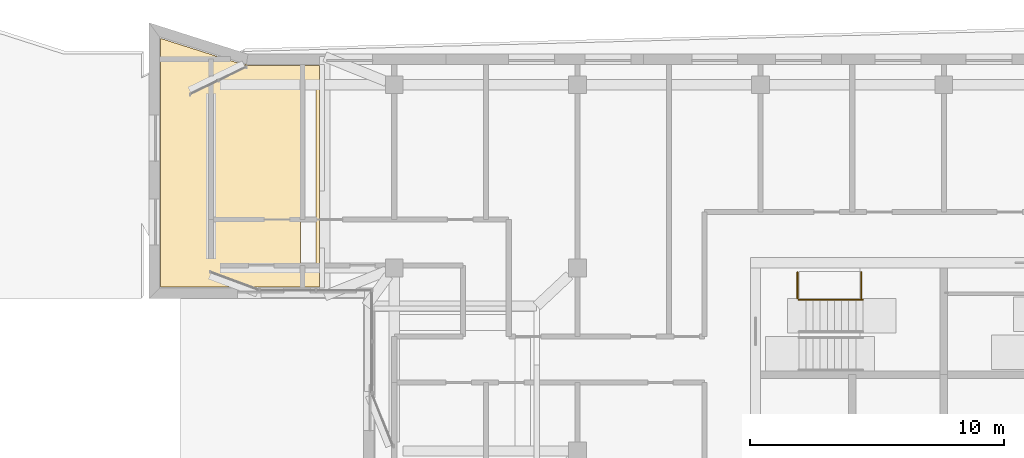
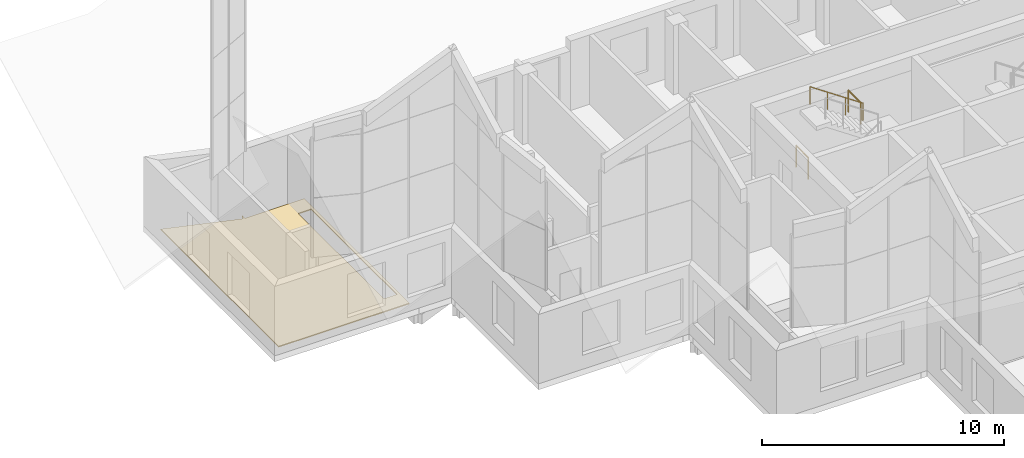
# One storey, part 19 of 20: 3 railings, 1 covering.
"""IFC4 building model written with IfcOpenShell, lengths in metres."""

from ifc_helpers import new_model, si_unit, direction, frame, origin, origin_2d, place, context, subcontext, project, spatial, polyline, circle, outline, extrude, material, layer, layer_set, type_object, element, save


model = new_model("IFC4")

# Units and contexts
model_context = context("Model", 3, precision=1e-05, world=origin(), true_north=direction((0.0, 1.0)))
body_context = subcontext(model_context, "Body", "Model", "MODEL_VIEW")
ifc_project = project(units=[si_unit("LENGTHUNIT", "METRE"), si_unit("AREAUNIT", "SQUARE_METRE"), si_unit("VOLUMEUNIT", "CUBIC_METRE"), si_unit("PLANEANGLEUNIT", "RADIAN"), si_unit("MASSUNIT", "GRAM", prefix="KILO")], contexts=[model_context])

# Site, building, storey
site_placement = place(None, origin())
site = spatial("IfcSite", under=ifc_project, at=site_placement, CompositionType="ELEMENT")
building_placement = place(site_placement, origin())
building = spatial("IfcBuilding", under=site, at=building_placement, Name="Windrow Commons", CompositionType="ELEMENT")
storey_placement = place(building_placement, frame((0.0, 0.0, 290.6)))
storey = spatial("IfcBuildingStorey", under=building, at=storey_placement, Name="L79", CompositionType="ELEMENT", Elevation=290.6)

# Railings
ifc_material_1 = material(Name="Steel S355", Category="steel")
railing_type_1 = type_object("IfcRailingType", Name="Core stair guard 1100", PredefinedType="GUARDRAIL", material=ifc_material_1)
for number, where, name in (
    (1, (59.05, 63.6, 0.0), "L79 ST-A1 stair guard 3"),
    (2, (61.55, 63.6, 1.9), "L79 ST-A1 stair guard 4"),
):
    element("IfcRailing", number, at=place(storey_placement, frame(where)), inside=storey, type_object=railing_type_1, Name=name, PredefinedType="GUARDRAIL", context=body_context, shape_type="SweptSolid", body=[
        extrude(circle(Radius=0.024, at=origin_2d()), frame((0.0, 0.0, 1.076), z_axis=(0.0, 1.0, 0.0), x_axis=(-1.0, 0.0, 0.0)), (0.0, 0.0, 1.0), 1.03),
        extrude(circle(Radius=0.021, at=origin_2d()), origin(), (0.0, 0.0, 1.0), 1.052),
        extrude(circle(Radius=0.021, at=origin_2d()), frame((0.0, 1.03, 0.0)), (0.0, 0.0, 1.0), 1.052),
    ])
ifc_material_2 = material(Name="Steel S355", Category="steel")
railing_type_2 = type_object("IfcRailingType", Name="Core stair handrail 900", PredefinedType="HANDRAIL", material=ifc_material_2)
railing_placement = place(storey_placement, frame((61.62, 63.55, 2.09)))
element("IfcRailing", 3, at=railing_placement, inside=storey, type_object=railing_type_2, Name="L79 ST-A1 stair handrail 2", PredefinedType="HANDRAIL", context=body_context, shape_type="SweptSolid", body=[
    extrude(circle(Radius=0.024, at=origin_2d()), frame((0.0, 0.0, 0.876), z_axis=(-0.8274757744, 0.0, 0.5615014183), x_axis=(0.0, -1.0, 0.0)), (0.0, 0.0, 1.0), 3.0454),
    extrude(circle(Radius=0.021, at=origin_2d()), origin(), (0.0, 0.0, 1.0), 0.852),
    extrude(circle(Radius=0.021, at=origin_2d()), frame((-0.84, 0.0, 0.57)), (0.0, 0.0, 1.0), 0.852),
    extrude(circle(Radius=0.021, at=origin_2d()), frame((-1.68, 0.0, 1.14)), (0.0, 0.0, 1.0), 0.852),
    extrude(circle(Radius=0.021, at=origin_2d()), frame((-2.52, 0.0, 1.71)), (0.0, 0.0, 1.0), 0.852),
])

# Covering
ifc_material_3 = material(Name="Granite pavers on waterproofing membrane", Category="masonry")
ifc_layer = layer(ifc_material_3, 0.05)
ifc_layer_set = layer_set([ifc_layer], Name="Terrace roofing 50")
covering_type = type_object("IfcCoveringType", Name="Terrace roofing 50", PredefinedType="ROOFING", material=ifc_layer_set)
covering_placement = place(storey_placement, origin())
element("IfcCovering", 4, at=covering_placement, inside=storey, type_object=covering_type, Name="Terrace roofing TR-L79-1", PredefinedType="ROOFING", context=body_context, shape_type="SweptSolid", body=[
    extrude(outline(polyline([(40.257, 72.75), (40.257, 64.05), (34.017, 64.05), (34.017, 73.8181), (37.3468, 72.7617), (37.4224, 73.0), (37.4224, 72.75), (40.257, 72.75)]), holes=[polyline([(40.127, 64.85), (40.127, 71.95), (39.507, 71.95), (39.507, 64.85), (40.127, 64.85)])]), origin(), (0.0, 0.0, 1.0), 0.05),
])

save(model, "model.ifc")
